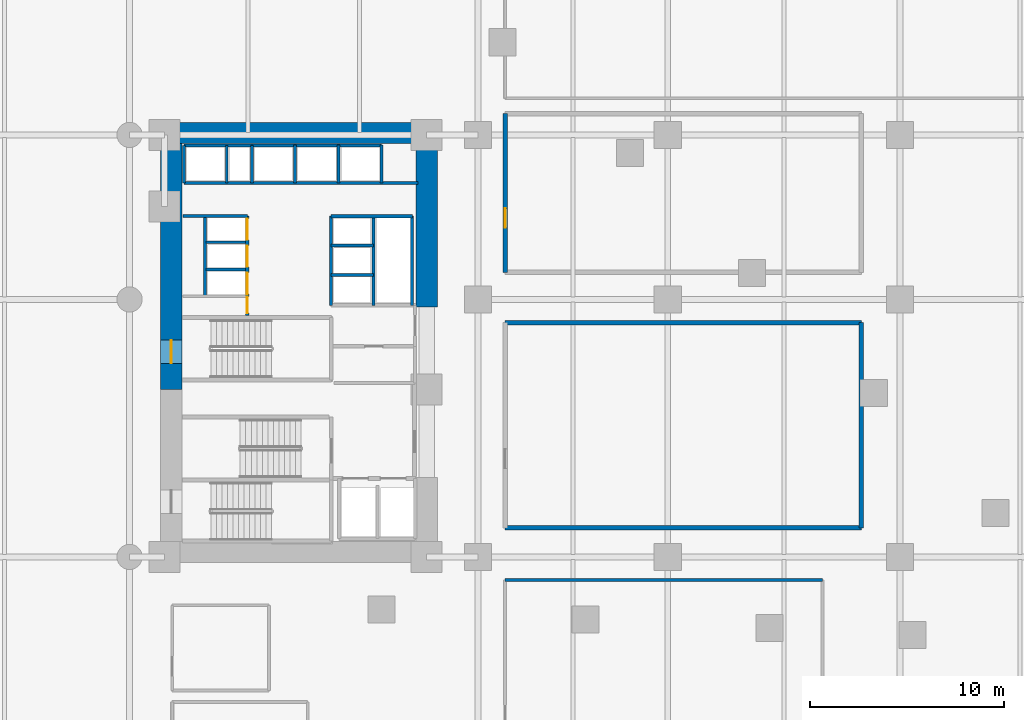
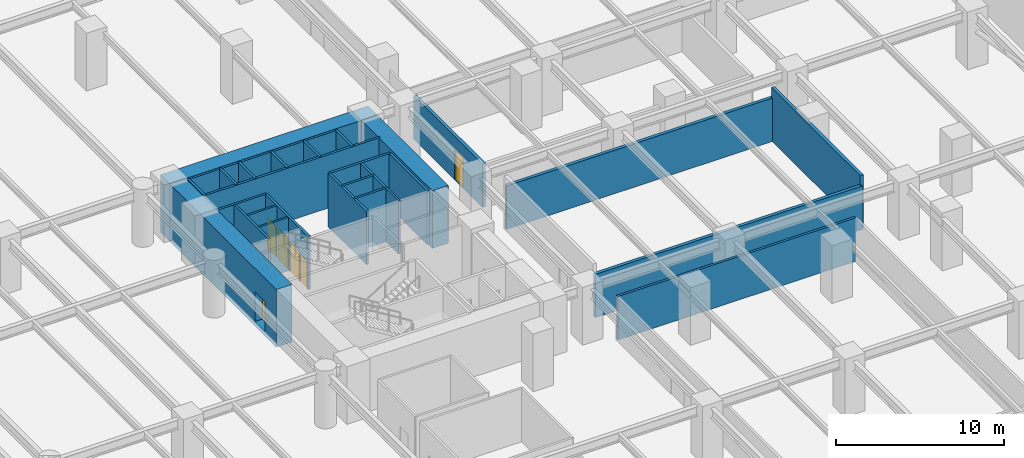
# One storey, part 8 of 22: 28 walls, 6 doors, 6 openings.
"""IFC4 building model written with IfcOpenShell, lengths in metres."""

from ifc_helpers import new_model, si_unit, direction, frame, frame_2d, origin, place, context, subcontext, project, spatial, rectangle, extrude, material, layer, layer_set, type_object, element, fill, save


model = new_model("IFC4")

# Units and contexts
model_context = context("Model", 3, precision=1e-05, world=origin(), true_north=direction((0.0, 1.0)))
body_context = subcontext(model_context, "Body", "Model", "MODEL_VIEW")
ifc_project = project(units=[si_unit("LENGTHUNIT", "METRE"), si_unit("AREAUNIT", "SQUARE_METRE"), si_unit("VOLUMEUNIT", "CUBIC_METRE"), si_unit("PLANEANGLEUNIT", "RADIAN"), si_unit("MASSUNIT", "GRAM", prefix="KILO")], contexts=[model_context])

# Site, building, storey
site_placement = place(None, origin())
site = spatial("IfcSite", under=ifc_project, at=site_placement, CompositionType="ELEMENT")
building_placement = place(site_placement, origin())
building = spatial("IfcBuilding", under=site, at=building_placement, Name="Narakoshi Arena Tower", CompositionType="ELEMENT")
storey_placement = place(building_placement, frame((0.0, 0.0, 13.199951171875)))
storey = spatial("IfcBuildingStorey", under=building, at=storey_placement, Name="L03", CompositionType="ELEMENT", Elevation=13.199951171875)

# Walls
ifc_material_1 = material(Name="Concrete C40/50", Category="concrete")
ifc_layer_1 = layer(ifc_material_1, 0.219970703125)
ifc_layer_set_1 = layer_set([ifc_layer_1], Name="Concrete C40/50")
wall_type_1 = type_object("IfcWallType", Name="WL-COMP-220", PredefinedType="SOLIDWALL", material=ifc_layer_set_1)
wall_1_placement = place(storey_placement, frame((89.60009765625, 36.199951171875, 0.0), z_axis=(0.0, 0.0, 1.0), x_axis=(1.0, 0.0, 0.0)))
element("IfcWall", 1, at=wall_1_placement, inside=storey, type_object=wall_type_1, Name="L03 Television Broadcast Studio 1 Wall S", PredefinedType="SOLIDWALL", context=body_context, shape_type="SweptSolid", body=[
    extrude(rectangle(XDim=18.39990234375, YDim=0.219970703125, at=frame_2d((9.199951171875, 0.0))), origin(), (0.0, 0.0, 1.0), 3.1650390625),
])
wall_2_placement = place(storey_placement, frame((108.0, 36.199951171875, 0.0), z_axis=(0.0, 0.0, 1.0), x_axis=(0.0, 1.0, 0.0)))
element("IfcWall", 2, at=wall_2_placement, inside=storey, type_object=wall_type_1, Name="L03 Television Broadcast Studio 1 Wall E", PredefinedType="SOLIDWALL", context=body_context, shape_type="SweptSolid", body=[
    extrude(rectangle(XDim=10.60009765625, YDim=0.219970703125, at=frame_2d((5.300048828125, 0.0))), origin(), (0.0, 0.0, 1.0), 3.880126953125),
])
wall_3_placement = place(storey_placement, frame((108.0, 46.800048828125, 0.0), z_axis=(0.0, 0.0, 1.0), x_axis=(-1.0, 0.0, 0.0)))
element("IfcWall", 3, at=wall_3_placement, inside=storey, type_object=wall_type_1, Name="L03 Television Broadcast Studio 1 Wall N", PredefinedType="SOLIDWALL", context=body_context, shape_type="SweptSolid", body=[
    extrude(rectangle(XDim=18.39990234375, YDim=0.219970703125, at=frame_2d((9.199951171875, 0.0))), origin(), (0.0, 0.0, 1.0), 3.1650390625),
])

# Wall, opening, door
wall_4_placement = place(storey_placement, frame((89.60009765625, 57.60009765625, 0.0), z_axis=(0.0, 0.0, 1.0), x_axis=(0.0, -1.0, 0.0)))
wall_4 = element("IfcWall", 4, at=wall_4_placement, inside=storey, type_object=wall_type_1, Name="L03 Radio Commentary Studio 2 Wall W", PredefinedType="SOLIDWALL", context=body_context, shape_type="SweptSolid", body=[
    extrude(rectangle(XDim=8.2001953125, YDim=0.219970703125, at=frame_2d((4.10009765625, 0.0))), origin(), (0.0, 0.0, 1.0), 3.1650390625),
])
opening_1_placement = place(wall_4_placement, frame((4.89599609375, 0.0, 0.0)))
opening_1 = element("IfcOpeningElement", 5, at=opening_1_placement, cuts=wall_4, Name="Opening D-06", PredefinedType="OPENING", context=body_context, shape_type="SweptSolid", body=[
    extrude(rectangle(XDim=1.0, YDim=2.199951171875, at=frame_2d((0.5, 1.10009765625))), frame((0.0, 0.119873046875, 0.0), z_axis=(0.0, -1.0, 0.0), x_axis=(1.0, 0.0, 0.0)), (0.0, 0.0, 1.0), 0.239990234375),
])
ifc_material_2 = material(Name="Stained oak solid-core timber", Category="wood")
door_type_1 = type_object("IfcDoorType", Name="DR-OFF-1000", OperationType="NOTDEFINED", PredefinedType="DOOR", material=ifc_material_2)
door_1_placement = place(opening_1_placement, frame((1.0, 0.0, 0.0), z_axis=(0.0, 0.0, 1.0), x_axis=(-1.0, 0.0, 0.0)))
door_1 = element("IfcDoor", 6, at=door_1_placement, inside=storey, type_object=door_type_1, Name="DR-L03-027", OperationType="SINGLE_SWING_RIGHT", OverallHeight=2.199951171875, OverallWidth=1.0, PredefinedType="DOOR", context=body_context, shape_type="SweptSolid", body=[
    extrude(rectangle(XDim=1.0, YDim=2.199951171875, at=frame_2d((0.5, 1.10009765625))), frame((0.0, 0.02490234375, 0.0), z_axis=(0.0, -1.0, 0.0), x_axis=(1.0, 0.0, 0.0)), (0.0, 0.0, 1.0), 0.050048828125),
])
fill(opening_1, door_1)

ifc_material_3 = material(Name="Concrete C60/75", Category="concrete")
ifc_layer_2 = layer(ifc_material_3, 1.10009765625)
ifc_layer_set_2 = layer_set([ifc_layer_2], Name="Concrete C60/75")
wall_type_2 = type_object("IfcWallType", Name="WL-CORE-1100", PredefinedType="SHEAR", material=ifc_layer_set_2)
wall_5_placement = place(storey_placement, frame((72.35009765625, 43.35009765625, -0.320068359375), z_axis=(0.0, 0.0, 1.0), x_axis=(0.0, 1.0, 0.0)))
wall_5 = element("IfcWall", 7, at=wall_5_placement, inside=storey, type_object=wall_type_2, Name="L03 Main Core Shear Wall CW-MN-W", PredefinedType="SHEAR", context=body_context, shape_type="SweptSolid", body=[
    extrude(rectangle(XDim=12.699951171875, YDim=1.10009765625, at=frame_2d((6.35009765625, 0.0))), origin(), (0.0, 0.0, 1.0), 4.2001953125),
])
opening_2_placement = place(wall_5_placement, frame((1.35009765625, 0.0, 0.320068359375)))
opening_2 = element("IfcOpeningElement", 8, at=opening_2_placement, cuts=wall_5, Name="Opening D-03", PredefinedType="OPENING", context=body_context, shape_type="SweptSolid", body=[
    extrude(rectangle(XDim=1.199951171875, YDim=2.199951171875, at=frame_2d((0.60009765625, 1.10009765625))), frame((0.0, 0.56005859375, 0.0), z_axis=(0.0, -1.0, 0.0), x_axis=(1.0, 0.0, 0.0)), (0.0, 0.0, 1.0), 1.1201171875),
])
ifc_material_4 = material(Name="Painted galvanized steel", Category="steel")
door_type_2 = type_object("IfcDoorType", Name="DR-STR-1200", OperationType="NOTDEFINED", PredefinedType="USERDEFINED", material=ifc_material_4)
door_2_placement = place(opening_2_placement, frame((1.199951171875, 0.0, 0.0), z_axis=(0.0, 0.0, 1.0), x_axis=(-1.0, 0.0, 0.0)))
door_2 = element("IfcDoor", 9, at=door_2_placement, inside=storey, type_object=door_type_2, Name="DR-L03-006", ObjectType="EXITDOOR", OperationType="SINGLE_SWING_LEFT", OverallHeight=2.199951171875, OverallWidth=1.199951171875, PredefinedType="USERDEFINED", context=body_context, shape_type="SweptSolid", body=[
    extrude(rectangle(XDim=1.199951171875, YDim=2.199951171875, at=frame_2d((0.60009765625, 1.10009765625))), frame((0.0, 0.02490234375, 0.0), z_axis=(0.0, -1.0, 0.0), x_axis=(1.0, 0.0, 0.0)), (0.0, 0.0, 1.0), 0.050048828125),
])
fill(opening_2, door_2)

# Walls
wall_6_placement = place(storey_placement, frame((71.800048828125, 56.60009765625, -0.320068359375), z_axis=(0.0, 0.0, 1.0), x_axis=(1.0, 0.0, 0.0)))
element("IfcWall", 10, at=wall_6_placement, inside=storey, type_object=wall_type_2, Name="L03 Main Core Shear Wall CW-MN-N", PredefinedType="SHEAR", context=body_context, shape_type="SweptSolid", body=[
    extrude(rectangle(XDim=14.300048828125, YDim=1.10009765625, at=frame_2d((7.14990234375, 0.0))), origin(), (0.0, 0.0, 1.0), 4.2001953125),
])
wall_7_placement = place(storey_placement, frame((85.550048828125, 47.60009765625, -0.320068359375), z_axis=(0.0, 0.0, 1.0), x_axis=(0.0, 1.0, 0.0)))
element("IfcWall", 11, at=wall_7_placement, inside=storey, type_object=wall_type_2, Name="L03 Main Core Shear Wall CW-MN-E", PredefinedType="SHEAR", context=body_context, shape_type="SweptSolid", body=[
    extrude(rectangle(XDim=8.449951171875, YDim=1.10009765625, at=frame_2d((4.22509765625, 0.0))), origin(), (0.0, 0.0, 1.0), 4.2001953125),
])
ifc_material_5 = material(Name="Gypsum plasterboard fire-rated partition")
ifc_layer_3 = layer(ifc_material_5, 0.1650390625)
ifc_layer_set_3 = layer_set([ifc_layer_3], Name="Gypsum plasterboard fire-rated partition")
wall_type_3 = type_object("IfcWallType", Name="WL-CORR-165", PredefinedType="PARTITIONING", material=ifc_layer_set_3)
wall_8_placement = place(storey_placement, frame((106.0, 33.5, 0.0), z_axis=(0.0, 0.0, 1.0), x_axis=(-1.0, 0.0, 0.0)))
element("IfcWall", 12, at=wall_8_placement, inside=storey, type_object=wall_type_3, Name="L03 International Press Briefing Hall Wall N", PredefinedType="PARTITIONING", context=body_context, shape_type="SweptSolid", body=[
    extrude(rectangle(XDim=16.39990234375, YDim=0.1650390625, at=frame_2d((8.199951171875, 0.0))), origin(), (0.0, 0.0, 1.0), 3.1650390625),
])
ifc_layer_4 = layer(ifc_material_1, 0.280029296875)
ifc_layer_set_4 = layer_set([ifc_layer_4], Name="Concrete C40/50")
wall_type_4 = type_object("IfcWallType", Name="WL-RISER-280", PredefinedType="PLUMBINGWALL", material=ifc_layer_set_4)
for number, where, z_axis, x_axis, name in (
    (13, (74.14990234375, 49.550048828125, 0.0), (0.0, 0.0, 1.0), (1.0, 0.0, 0.0), "L03 Core Wall LR-D1"),
    (14, (74.14990234375, 50.949951171875, 0.0), (0.0, 0.0, 1.0), (1.0, 0.0, 0.0), "L03 Core Wall LR-D2"),
):
    element("IfcWall", number, at=place(storey_placement, frame(where, z_axis=z_axis, x_axis=x_axis)), inside=storey, type_object=wall_type_4, Name=name, PredefinedType="PLUMBINGWALL", context=body_context, shape_type="SweptSolid", body=[
        extrude(rectangle(XDim=2.0400390625, YDim=0.139892578125, at=frame_2d((1.02001953125, 0.0))), origin(), (0.0, 0.0, 1.0), 3.880126953125),
    ])
wall_9_placement = place(storey_placement, frame((74.10009765625, 48.159912109375, 0.0), z_axis=(0.0, 0.0, 1.0), x_axis=(0.0, 1.0, 0.0)))
element("IfcWall", 15, at=wall_9_placement, inside=storey, type_object=wall_type_4, Name="L03 Core Wall LR-W", PredefinedType="PLUMBINGWALL", context=body_context, shape_type="SweptSolid", body=[
    extrude(rectangle(XDim=4.16015625, YDim=0.139892578125, at=frame_2d((2.080078125, 0.0))), origin(), (0.0, 0.0, 1.0), 3.880126953125),
])
for number, where, z_axis, x_axis, name in (
    (16, (80.60009765625, 49.260009765625, 0.0), (0.0, 0.0, 1.0), (1.0, 0.0, 0.0), "L03 Core Wall MR-D1"),
    (17, (80.60009765625, 50.780029296875, 0.0), (0.0, 0.0, 1.0), (1.0, 0.0, 0.0), "L03 Core Wall MR-D2"),
):
    element("IfcWall", number, at=place(storey_placement, frame(where, z_axis=z_axis, x_axis=x_axis)), inside=storey, type_object=wall_type_4, Name=name, PredefinedType="PLUMBINGWALL", context=body_context, shape_type="SweptSolid", body=[
        extrude(rectangle(XDim=2.199951171875, YDim=0.14990234375, at=frame_2d((1.10009765625, 0.0))), origin(), (0.0, 0.0, 1.0), 3.880126953125),
    ])
wall_10_placement = place(storey_placement, frame((82.800048828125, 47.699951171875, 0.0), z_axis=(0.0, 0.0, 1.0), x_axis=(0.0, 1.0, 0.0)))
element("IfcWall", 18, at=wall_10_placement, inside=storey, type_object=wall_type_4, Name="L03 Core Wall MR-E", PredefinedType="PLUMBINGWALL", context=body_context, shape_type="SweptSolid", body=[
    extrude(rectangle(XDim=4.60009765625, YDim=0.14990234375, at=frame_2d((2.300048828125, 0.0))), origin(), (0.0, 0.0, 1.0), 3.880126953125),
])
for number, where, z_axis, x_axis, name in (
    (19, (73.02001953125, 54.02001953125, 0.0), (0.0, 0.0, 1.0), (0.0, 1.0, 0.0), "L03 Core Wall OBS-W"),
    (20, (75.219970703125, 54.02001953125, 0.0), (0.0, 0.0, 1.0), (0.0, 1.0, 0.0), "L03 Core Wall OBS-M"),
):
    element("IfcWall", number, at=place(storey_placement, frame(where, z_axis=z_axis, x_axis=x_axis)), inside=storey, type_object=wall_type_4, Name=name, PredefinedType="PLUMBINGWALL", context=body_context, shape_type="SweptSolid", body=[
        extrude(rectangle(XDim=1.93994140625, YDim=0.14990234375, at=frame_2d((0.969970703125, 0.0))), origin(), (0.0, 0.0, 1.0), 3.880126953125),
    ])
for number, where, z_axis, x_axis, name in (
    (21, (78.75, 54.02001953125, 0.0), (0.0, 0.0, 1.0), (0.0, 1.0, 0.0), "L03 Core Wall HR-D1"),
    (22, (81.0, 54.02001953125, 0.0), (0.0, 0.0, 1.0), (0.0, 1.0, 0.0), "L03 Core Wall HR-D2"),
):
    element("IfcWall", number, at=place(storey_placement, frame(where, z_axis=z_axis, x_axis=x_axis)), inside=storey, type_object=wall_type_4, Name=name, PredefinedType="PLUMBINGWALL", context=body_context, shape_type="SweptSolid", body=[
        extrude(rectangle(XDim=1.9599609375, YDim=0.14990234375, at=frame_2d((0.97998046875, 0.0))), origin(), (0.0, 0.0, 1.0), 3.880126953125),
    ])

# Wall, openings, doors
ifc_material_6 = material(Name="Concrete C50/60", Category="concrete")
ifc_layer_5 = layer(ifc_material_6, 0.35009765625)
ifc_layer_set_5 = layer_set([ifc_layer_5], Name="Concrete C50/60")
wall_type_5 = type_object("IfcWallType", Name="WL-SHAFT-350", PredefinedType="SOLIDWALL", material=ifc_layer_set_5)
wall_11_placement = place(storey_placement, frame((76.280029296875, 47.179931640625, 0.0), z_axis=(0.0, 0.0, 1.0), x_axis=(0.0, 1.0, 0.0)))
wall_11 = element("IfcWall", 23, at=wall_11_placement, inside=storey, type_object=wall_type_5, Name="L03 Core Wall LR-E", PredefinedType="SOLIDWALL", context=body_context, shape_type="SweptSolid", body=[
    extrude(rectangle(XDim=5.14013671875, YDim=0.159912109375, at=frame_2d((2.570068359375, 0.0))), origin(), (0.0, 0.0, 1.0), 3.880126953125),
])
opening_3_placement = place(wall_11_placement, frame((1.10009765625, 0.0, 0.0)))
opening_3 = element("IfcOpeningElement", 24, at=opening_3_placement, cuts=wall_11, Name="Opening LD-01", PredefinedType="OPENING", context=body_context, shape_type="SweptSolid", body=[
    extrude(rectangle(XDim=1.10009765625, YDim=2.25, at=frame_2d((0.550048828125, 1.125))), frame((0.0, 0.08984375, 0.0), z_axis=(0.0, -1.0, 0.0), x_axis=(1.0, 0.0, 0.0)), (0.0, 0.0, 1.0), 0.179931640625),
])
opening_4_placement = place(wall_11_placement, frame((2.5, 0.0, 0.0)))
opening_4 = element("IfcOpeningElement", 25, at=opening_4_placement, cuts=wall_11, Name="Opening LD-01", PredefinedType="OPENING", context=body_context, shape_type="SweptSolid", body=[
    extrude(rectangle(XDim=1.10009765625, YDim=2.25, at=frame_2d((0.550048828125, 1.125))), frame((0.0, 0.08984375, 0.0), z_axis=(0.0, -1.0, 0.0), x_axis=(1.0, 0.0, 0.0)), (0.0, 0.0, 1.0), 0.179931640625),
])
opening_5_placement = place(wall_11_placement, frame((3.89990234375, 0.0, 0.0)))
opening_5 = element("IfcOpeningElement", 26, at=opening_5_placement, cuts=wall_11, Name="Opening LD-01", PredefinedType="OPENING", context=body_context, shape_type="SweptSolid", body=[
    extrude(rectangle(XDim=1.10009765625, YDim=2.25, at=frame_2d((0.550048828125, 1.125))), frame((0.0, 0.08984375, 0.0), z_axis=(0.0, -1.0, 0.0), x_axis=(1.0, 0.0, 0.0)), (0.0, 0.0, 1.0), 0.179931640625),
])
opening_6_placement = place(wall_11_placement, frame((0.1201171875, 0.0, 0.0)))
opening_6 = element("IfcOpeningElement", 27, at=opening_6_placement, cuts=wall_11, Name="Opening D-10", PredefinedType="OPENING", context=body_context, shape_type="SweptSolid", body=[
    extrude(rectangle(XDim=0.85009765625, YDim=2.050048828125, at=frame_2d((0.425048828125, 1.02490234375))), frame((0.0, 0.08984375, 0.0), z_axis=(0.0, -1.0, 0.0), x_axis=(1.0, 0.0, 0.0)), (0.0, 0.0, 1.0), 0.179931640625),
])
ifc_material_7 = material(Name="Brushed bronze stainless steel", Category="steel")
door_type_3 = type_object("IfcDoorType", Name="DR-LFT-1100", OperationType="DOUBLE_DOOR_SLIDING", PredefinedType="DOOR", material=ifc_material_7)
door_3_placement = place(opening_3_placement, origin())
door_3 = element("IfcDoor", 28, at=door_3_placement, inside=storey, type_object=door_type_3, Name="DR-L03-009", OperationType="DOUBLE_DOOR_SLIDING", OverallHeight=2.25, OverallWidth=1.10009765625, PredefinedType="DOOR", context=body_context, shape_type="SweptSolid", body=[
    extrude(rectangle(XDim=1.10009765625, YDim=2.25, at=frame_2d((0.550048828125, 1.125))), frame((0.0, 0.02490234375, 0.0), z_axis=(0.0, -1.0, 0.0), x_axis=(1.0, 0.0, 0.0)), (0.0, 0.0, 1.0), 0.050048828125),
])
fill(opening_3, door_3)
door_4_placement = place(opening_4_placement, origin())
door_4 = element("IfcDoor", 29, at=door_4_placement, inside=storey, type_object=door_type_3, Name="DR-L03-010", OperationType="DOUBLE_DOOR_SLIDING", OverallHeight=2.25, OverallWidth=1.10009765625, PredefinedType="DOOR", context=body_context, shape_type="SweptSolid", body=[
    extrude(rectangle(XDim=1.10009765625, YDim=2.25, at=frame_2d((0.550048828125, 1.125))), frame((0.0, 0.02490234375, 0.0), z_axis=(0.0, -1.0, 0.0), x_axis=(1.0, 0.0, 0.0)), (0.0, 0.0, 1.0), 0.050048828125),
])
fill(opening_4, door_4)
door_5_placement = place(opening_5_placement, origin())
door_5 = element("IfcDoor", 30, at=door_5_placement, inside=storey, type_object=door_type_3, Name="DR-L03-011", OperationType="DOUBLE_DOOR_SLIDING", OverallHeight=2.25, OverallWidth=1.10009765625, PredefinedType="DOOR", context=body_context, shape_type="SweptSolid", body=[
    extrude(rectangle(XDim=1.10009765625, YDim=2.25, at=frame_2d((0.550048828125, 1.125))), frame((0.0, 0.02490234375, 0.0), z_axis=(0.0, -1.0, 0.0), x_axis=(1.0, 0.0, 0.0)), (0.0, 0.0, 1.0), 0.050048828125),
])
fill(opening_5, door_5)
door_type_4 = type_object("IfcDoorType", Name="DR-RSR-850", OperationType="NOTDEFINED", PredefinedType="DOOR", material=ifc_material_4)
door_6_placement = place(opening_6_placement, frame((0.85009765625, 0.0, 0.0), z_axis=(0.0, 0.0, 1.0), x_axis=(-1.0, 0.0, 0.0)))
door_6 = element("IfcDoor", 31, at=door_6_placement, inside=storey, type_object=door_type_4, Name="DR-L03-012", OperationType="SINGLE_SWING_LEFT", OverallHeight=2.050048828125, OverallWidth=0.85009765625, PredefinedType="DOOR", context=body_context, shape_type="SweptSolid", body=[
    extrude(rectangle(XDim=0.85009765625, YDim=2.050048828125, at=frame_2d((0.425048828125, 1.02490234375))), frame((0.0, 0.02490234375, 0.0), z_axis=(0.0, -1.0, 0.0), x_axis=(1.0, 0.0, 0.0)), (0.0, 0.0, 1.0), 0.050048828125),
])
fill(opening_6, door_6)

# Walls
wall_12_placement = place(storey_placement, frame((72.949951171875, 52.320068359375, 0.0), z_axis=(0.0, 0.0, 1.0), x_axis=(1.0, 0.0, 0.0)))
element("IfcWall", 32, at=wall_12_placement, inside=storey, type_object=wall_type_5, Name="L03 Core Wall LR-N", PredefinedType="SOLIDWALL", context=body_context, shape_type="SweptSolid", body=[
    extrude(rectangle(XDim=3.330078125, YDim=0.14990234375, at=frame_2d((1.6650390625, 0.0))), origin(), (0.0, 0.0, 1.0), 3.880126953125),
])
wall_13_placement = place(storey_placement, frame((80.60009765625, 47.699951171875, 0.0), z_axis=(0.0, 0.0, 1.0), x_axis=(0.0, 1.0, 0.0)))
element("IfcWall", 33, at=wall_13_placement, inside=storey, type_object=wall_type_5, Name="L03 Core Wall MR-W", PredefinedType="SOLIDWALL", context=body_context, shape_type="SweptSolid", body=[
    extrude(rectangle(XDim=4.60009765625, YDim=0.159912109375, at=frame_2d((2.300048828125, 0.0))), origin(), (0.0, 0.0, 1.0), 3.880126953125),
])
wall_14_placement = place(storey_placement, frame((80.60009765625, 52.300048828125, 0.0), z_axis=(0.0, 0.0, 1.0), x_axis=(1.0, 0.0, 0.0)))
element("IfcWall", 34, at=wall_14_placement, inside=storey, type_object=wall_type_5, Name="L03 Core Wall MR-N", PredefinedType="SOLIDWALL", context=body_context, shape_type="SweptSolid", body=[
    extrude(rectangle(XDim=4.219970703125, YDim=0.159912109375, at=frame_2d((2.10986328125, 0.0))), origin(), (0.0, 0.0, 1.0), 3.880126953125),
])
wall_15_placement = place(storey_placement, frame((84.780029296875, 47.699951171875, 0.0), z_axis=(0.0, 0.0, 1.0), x_axis=(0.0, 1.0, 0.0)))
element("IfcWall", 35, at=wall_15_placement, inside=storey, type_object=wall_type_5, Name="L03 Core Wall MR-E2", PredefinedType="SOLIDWALL", context=body_context, shape_type="SweptSolid", body=[
    extrude(rectangle(XDim=4.60009765625, YDim=0.159912109375, at=frame_2d((2.300048828125, 0.0))), origin(), (0.0, 0.0, 1.0), 3.880126953125),
])
wall_16_placement = place(storey_placement, frame((73.02001953125, 54.02001953125, 0.0), z_axis=(0.0, 0.0, 1.0), x_axis=(1.0, 0.0, 0.0)))
element("IfcWall", 36, at=wall_16_placement, inside=storey, type_object=wall_type_5, Name="L03 Core Wall NSHF-S", PredefinedType="SOLIDWALL", context=body_context, shape_type="SweptSolid", body=[
    extrude(rectangle(XDim=12.080078125, YDim=0.159912109375, at=frame_2d((6.0400390625, 0.0))), origin(), (0.0, 0.0, 1.0), 3.880126953125),
])
wall_17_placement = place(storey_placement, frame((73.02001953125, 55.9599609375, 0.0), z_axis=(0.0, 0.0, 1.0), x_axis=(1.0, 0.0, 0.0)))
element("IfcWall", 37, at=wall_17_placement, inside=storey, type_object=wall_type_5, Name="L03 Core Wall OBS-N", PredefinedType="SOLIDWALL", context=body_context, shape_type="SweptSolid", body=[
    extrude(rectangle(XDim=3.5, YDim=0.14990234375, at=frame_2d((1.75, 0.0))), origin(), (0.0, 0.0, 1.0), 3.880126953125),
])
wall_18_placement = place(storey_placement, frame((76.52001953125, 54.02001953125, 0.0), z_axis=(0.0, 0.0, 1.0), x_axis=(0.0, 1.0, 0.0)))
element("IfcWall", 38, at=wall_18_placement, inside=storey, type_object=wall_type_5, Name="L03 Core Wall OBS-E", PredefinedType="SOLIDWALL", context=body_context, shape_type="SweptSolid", body=[
    extrude(rectangle(XDim=1.93994140625, YDim=0.14990234375, at=frame_2d((0.969970703125, 0.0))), origin(), (0.0, 0.0, 1.0), 3.880126953125),
])
wall_19_placement = place(storey_placement, frame((83.219970703125, 54.02001953125, 0.0), z_axis=(0.0, 0.0, 1.0), x_axis=(0.0, 1.0, 0.0)))
element("IfcWall", 39, at=wall_19_placement, inside=storey, type_object=wall_type_5, Name="L03 Core Wall HR-E", PredefinedType="SOLIDWALL", context=body_context, shape_type="SweptSolid", body=[
    extrude(rectangle(XDim=1.9599609375, YDim=0.14990234375, at=frame_2d((0.97998046875, 0.0))), origin(), (0.0, 0.0, 1.0), 3.880126953125),
])
wall_20_placement = place(storey_placement, frame((76.52001953125, 55.9599609375, 0.0), z_axis=(0.0, 0.0, 1.0), x_axis=(1.0, 0.0, 0.0)))
element("IfcWall", 40, at=wall_20_placement, inside=storey, type_object=wall_type_5, Name="L03 Core Wall HR-N", PredefinedType="SOLIDWALL", context=body_context, shape_type="SweptSolid", body=[
    extrude(rectangle(XDim=6.699951171875, YDim=0.14990234375, at=frame_2d((3.35009765625, 0.0))), origin(), (0.0, 0.0, 1.0), 3.880126953125),
])

save(model, "model.ifc")
